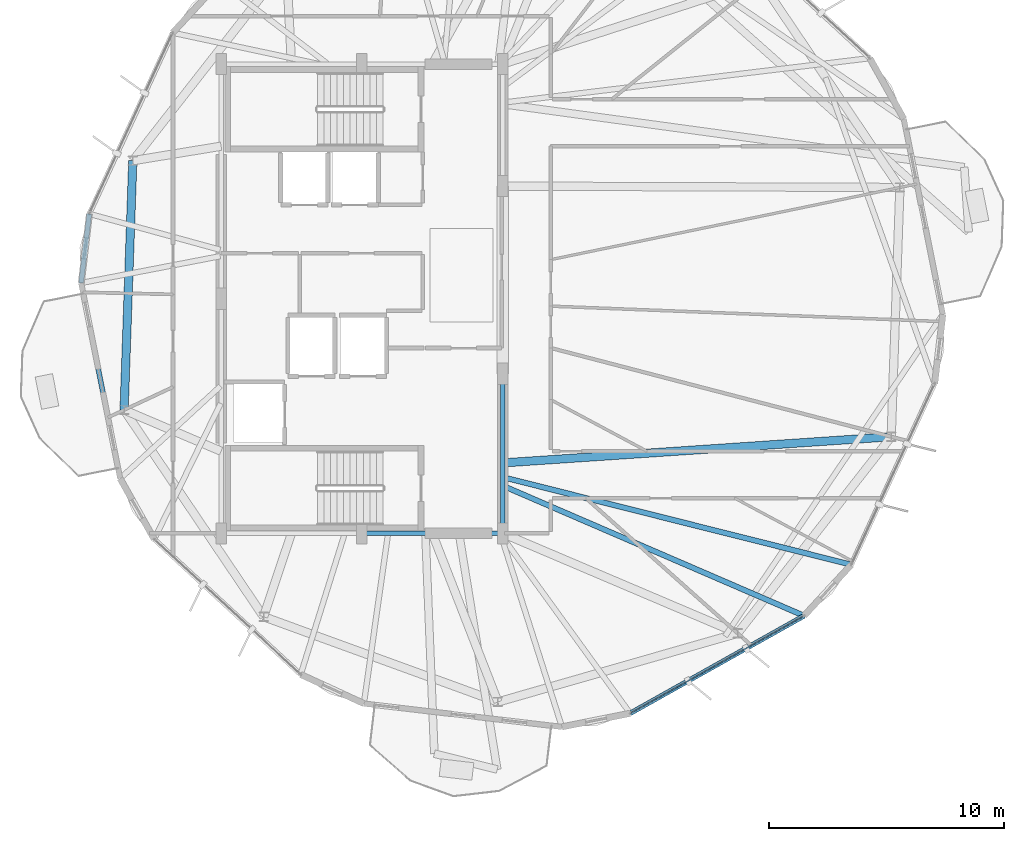
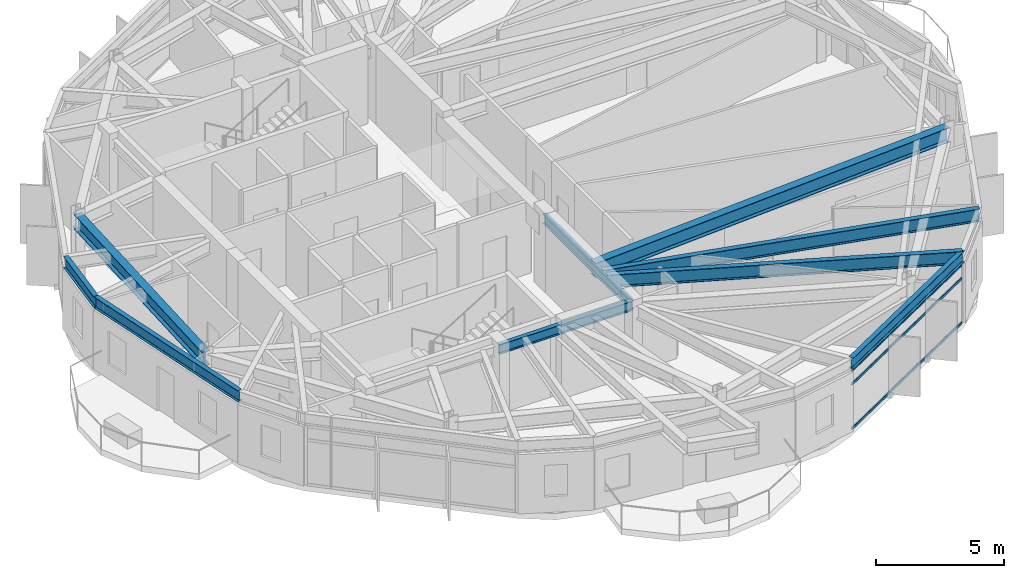
# One storey, part 6 of 25: 9 beams, 3 members, 1 element without a shape of its own.
"""IFC4 building model written with IfcOpenShell, lengths in metres."""

from ifc_helpers import new_model, si_unit, direction, frame, origin, origin_2d, place, context, subcontext, project, spatial, hollow_rectangle, i_section, extrude, material, layer, layer_set, material_profile, profile_set, type_object, element, aggregate, save


model = new_model("IFC4")

# Units and contexts
model_context = context("Model", 3, precision=1e-05, world=origin(), true_north=direction((0.0, 1.0)))
body_context = subcontext(model_context, "Body", "Model", "MODEL_VIEW")
ifc_project = project(units=[si_unit("LENGTHUNIT", "METRE"), si_unit("AREAUNIT", "SQUARE_METRE"), si_unit("VOLUMEUNIT", "CUBIC_METRE"), si_unit("PLANEANGLEUNIT", "RADIAN"), si_unit("MASSUNIT", "GRAM", prefix="KILO")], contexts=[model_context])

# Site, building, storey
site_placement = place(None, origin())
site = spatial("IfcSite", under=ifc_project, at=site_placement, CompositionType="ELEMENT")
building_placement = place(site_placement, origin())
building = spatial("IfcBuilding", under=site, at=building_placement, Name="Soratama Intermodal Tower", CompositionType="ELEMENT")
storey_placement = place(building_placement, frame((0.0, 0.0, 272.5)))
storey = spatial("IfcBuildingStorey", under=building, at=storey_placement, Name="L69", CompositionType="ELEMENT", Elevation=272.5)

# Beams
ifc_material_1 = material(Name="Structural steel ASTM A992 Grade 50", Category="steel")
ifc_material_profile_1 = material_profile(ifc_material_1, i_section(OverallWidth=0.19091796875, OverallDepth=0.4599609375, WebThickness=0.010009765625, FlangeThickness=0.01611328125, FilletRadius=0.010986328125, at=origin_2d()), Name="W18X55")
ifc_profile_set_1 = profile_set([ifc_material_profile_1], Name="Structural steel ASTM A992 Grade 50")
beam_type_1 = type_object("IfcBeamType", Name="BM-FLR-W18X55", PredefinedType="BEAM", material=ifc_profile_set_1)
beam_1_placement = place(storey_placement, frame((38.60009765625, 15.0, 3.219970703125), z_axis=(1.0, 0.0, 0.0), x_axis=(0.0, 1.0, 0.0)))
element("IfcBeam", 1, at=beam_1_placement, inside=storey, type_object=beam_type_1, Name="BM-L69-CRING-02", PredefinedType="BEAM", context=body_context, shape_type="SweptSolid", body=[
    extrude(i_section(OverallWidth=0.19091796875, OverallDepth=0.4599609375, WebThickness=0.010009765625, FlangeThickness=0.01611328125, FilletRadius=0.010986328125, at=origin_2d()), origin(), (0.0, 0.0, 1.0), 6.0),
])
beam_2_placement = place(storey_placement, frame((44.60009765625, 15.0, 3.219970703125), z_axis=(0.0, 1.0, 0.0), x_axis=(-1.0, 0.0, 0.0)))
element("IfcBeam", 2, at=beam_2_placement, inside=storey, type_object=beam_type_1, Name="BM-L69-CRING-03", PredefinedType="BEAM", context=body_context, shape_type="SweptSolid", body=[
    extrude(i_section(OverallWidth=0.19091796875, OverallDepth=0.4599609375, WebThickness=0.010009765625, FlangeThickness=0.01611328125, FilletRadius=0.010986328125, at=origin_2d()), origin(), (0.0, 0.0, 1.0), 6.800048828125),
])
ifc_material_2 = material(Name="Structural steel ASTM A992 Grade 50", Category="steel")
ifc_material_profile_2 = material_profile(ifc_material_2, i_section(OverallWidth=0.35498046875, OverallDepth=0.695068359375, WebThickness=0.015380859375, FlangeThickness=0.02490234375, FilletRadius=0.01611328125, at=origin_2d()), Name="W27X146")
ifc_profile_set_2 = profile_set([ifc_material_profile_2], Name="Structural steel ASTM A992 Grade 50")
beam_type_2 = type_object("IfcBeamType", Name="BM-RING-W27X146", PredefinedType="BEAM", material=ifc_profile_set_2)
beam_3_placement = place(storey_placement, frame((28.8369140625, 30.883056640625, 3.1025390625), z_axis=(-0.034885453879, -0.999391317307, 0.0), x_axis=(0.999391317307, -0.034885453879, 0.0)))
element("IfcBeam", 3, at=beam_3_placement, inside=storey, type_object=beam_type_2, Name="BM-L69-RING-05", PredefinedType="BEAM", context=body_context, shape_type="SweptSolid", body=[
    extrude(i_section(OverallWidth=0.35498046875, OverallDepth=0.695068359375, WebThickness=0.015380859375, FlangeThickness=0.02490234375, FilletRadius=0.01611328125, at=origin_2d()), origin(), (0.0, 0.0, 1.0), 10.630615234375),
])
beam_4_placement = place(storey_placement, frame((44.60009765625, 18.0, 3.1025390625), z_axis=(0.997733912176, 0.067283285401, 0.0), x_axis=(-0.067283285401, 0.997733912176, 0.0)))
element("IfcBeam", 4, at=beam_4_placement, inside=storey, type_object=beam_type_2, Name="BM-L69-RAD-10", PredefinedType="BEAM", context=body_context, shape_type="SweptSolid", body=[
    extrude(i_section(OverallWidth=0.35498046875, OverallDepth=0.695068359375, WebThickness=0.015380859375, FlangeThickness=0.02490234375, FilletRadius=0.01611328125, at=origin_2d()), origin(), (0.0, 0.0, 1.0), 16.6005859375),
])
ifc_material_3 = material(Name="Structural steel ASTM A992 Grade 50", Category="steel")
ifc_material_profile_3 = material_profile(ifc_material_3, i_section(OverallWidth=0.2099609375, OverallDepth=0.537109375, WebThickness=0.010986328125, FlangeThickness=0.017333984375, FilletRadius=0.012939453125, at=origin_2d()), Name="W21X68")
ifc_profile_set_3 = profile_set([ifc_material_profile_3], Name="Structural steel ASTM A992 Grade 50")
beam_type_3 = type_object("IfcBeamType", Name="BM-SPN-W21X68", PredefinedType="SPANDREL", material=ifc_profile_set_3)
beam_5_placement = place(storey_placement, frame((26.98095703125, 28.616943359375, 3.181396484375), z_axis=(-0.116912851833, -0.993142177675, 0.0), x_axis=(0.993142177675, -0.116912851833, 0.0)))
element("IfcBeam", 5, at=beam_5_placement, inside=storey, type_object=beam_type_3, Name="BS-L69-CRN03", PredefinedType="SPANDREL", context=body_context, shape_type="SweptSolid", body=[
    extrude(i_section(OverallWidth=0.2099609375, OverallDepth=0.537109375, WebThickness=0.010986328125, FlangeThickness=0.017333984375, FilletRadius=0.012939453125, at=origin_2d()), origin(), (0.0, 0.0, 1.0), 2.96728515625),
])
beam_6_placement = place(storey_placement, frame((26.634033203125, 25.669921875, 3.181396484375), z_axis=(0.195674193289, -0.980668960496, 0.0), x_axis=(0.980668960496, 0.195674193289, 0.0)))
element("IfcBeam", 6, at=beam_6_placement, inside=storey, type_object=beam_type_3, Name="BS-L69-F04", PredefinedType="SPANDREL", context=body_context, shape_type="SweptSolid", body=[
    extrude(i_section(OverallWidth=0.2099609375, OverallDepth=0.537109375, WebThickness=0.010986328125, FlangeThickness=0.017333984375, FilletRadius=0.012939453125, at=origin_2d()), origin(), (0.0, 0.0, 1.0), 8.499267578125),
])
beam_7_placement = place(storey_placement, frame((50.0380859375, 7.325927734375, 3.181396484375), z_axis=(0.87224286594, 0.489072983119, 0.0), x_axis=(-0.489072983119, 0.87224286594, 0.0)))
element("IfcBeam", 7, at=beam_7_placement, inside=storey, type_object=beam_type_3, Name="BS-L69-F07", PredefinedType="SPANDREL", context=body_context, shape_type="SweptSolid", body=[
    extrude(i_section(OverallWidth=0.2099609375, OverallDepth=0.537109375, WebThickness=0.010986328125, FlangeThickness=0.017333984375, FilletRadius=0.012939453125, at=origin_2d()), origin(), (0.0, 0.0, 1.0), 8.499755859375),
])
ifc_material_4 = material(Name="Structural steel ASTM A992 Grade 50", Category="steel")
ifc_material_profile_4 = material_profile(ifc_material_4, i_section(OverallWidth=0.22900390625, OverallDepth=0.612060546875, WebThickness=0.011962890625, FlangeThickness=0.01953125, FilletRadius=0.012939453125, at=origin_2d()), Name="W24X84")
ifc_profile_set_4 = profile_set([ifc_material_profile_4], Name="Structural steel ASTM A992 Grade 50")
beam_type_4 = type_object("IfcBeamType", Name="BM-TIE-W24X84", PredefinedType="BEAM", material=ifc_profile_set_4)
beam_8_placement = place(storey_placement, frame((44.636962890625, 17.014892578125, 3.14404296875), z_axis=(0.918107777154, -0.396330808202, 0.0), x_axis=(0.396330808202, 0.918107777154, 0.0)))
element("IfcBeam", 8, at=beam_8_placement, inside=storey, type_object=beam_type_4, Name="BM-L69-TIE1-07", PredefinedType="BEAM", context=body_context, shape_type="SweptSolid", body=[
    extrude(i_section(OverallWidth=0.22900390625, OverallDepth=0.612060546875, WebThickness=0.011962890625, FlangeThickness=0.01953125, FilletRadius=0.012939453125, at=origin_2d()), origin(), (0.0, 0.0, 1.0), 13.9580078125),
])
beam_9_placement = place(storey_placement, frame((44.638916015625, 17.384033203125, 3.14404296875), z_axis=(0.969901499151, -0.243497601518, 0.0), x_axis=(0.243497601518, 0.969901499151, 0.0)))
element("IfcBeam", 9, at=beam_9_placement, inside=storey, type_object=beam_type_4, Name="BM-L69-TIE0-08", PredefinedType="BEAM", context=body_context, shape_type="SweptSolid", body=[
    extrude(i_section(OverallWidth=0.22900390625, OverallDepth=0.612060546875, WebThickness=0.011962890625, FlangeThickness=0.01953125, FilletRadius=0.012939453125, at=origin_2d()), origin(), (0.0, 0.0, 1.0), 15.28515625),
])

# Curtain wall, members
ifc_material_5 = material(Name="Double-glazed aluminium curtain wall", Category="aluminium")
ifc_layer = layer(ifc_material_5, 0.159912109375)
ifc_layer_set = layer_set([ifc_layer], Name="Double-glazed aluminium curtain wall")
curtain_wall_type = type_object("IfcCurtainWallType", Name="CW-SYS-5", PredefinedType="NOTDEFINED", material=ifc_layer_set)
curtain_wall_placement = place(storey_placement, origin())
curtain_wall = element("IfcCurtainWall", 10, at=curtain_wall_placement, inside=storey, type_object=curtain_wall_type, Name="L69 Faceted Curtain Wall F07", PredefinedType="NOTDEFINED")
ifc_material_6 = material(Name="Anodised aluminium AA 6063-T6", Category="aluminium")
ifc_material_profile_5 = material_profile(ifc_material_6, hollow_rectangle(XDim=0.06005859375, YDim=0.1298828125, WallThickness=0.0048828125, InnerFilletRadius=0.0048828125, OuterFilletRadius=0.010009765625, at=origin_2d()), Name="CWT130X60X5")
ifc_profile_set_5 = profile_set([ifc_material_profile_5], Name="Anodised aluminium AA 6063-T6")
member_type = type_object("IfcMemberType", Name="TT-CWT-2", PredefinedType="USERDEFINED", material=ifc_profile_set_5)
member_1_placement = place(storey_placement, frame((50.090087890625, 7.355224609375, 0.030029296875), z_axis=(0.87223611151, 0.489085029191, 0.0), x_axis=(-0.489085029191, 0.87223611151, 0.0)))
member_1 = element("IfcMember", 11, at=member_1_placement, type_object=member_type, Name="CW-5 transom 1.1", ObjectType="TRANSOM", PredefinedType="USERDEFINED", context=body_context, shape_type="SweptSolid", body=[
    extrude(hollow_rectangle(XDim=0.06005859375, YDim=0.1298828125, WallThickness=0.0048828125, InnerFilletRadius=0.0048828125, OuterFilletRadius=0.010009765625, at=origin_2d()), origin(), (0.0, 0.0, 1.0), 8.379638671875),
])
member_2_placement = place(storey_placement, frame((50.090087890625, 7.355224609375, 2.14990234375), z_axis=(0.87223611151, 0.489085029191, 0.0), x_axis=(-0.489085029191, 0.87223611151, 0.0)))
member_2 = element("IfcMember", 12, at=member_2_placement, type_object=member_type, Name="CW-5 transom 1.2", ObjectType="TRANSOM", PredefinedType="USERDEFINED", context=body_context, shape_type="SweptSolid", body=[
    extrude(hollow_rectangle(XDim=0.06005859375, YDim=0.1298828125, WallThickness=0.0048828125, InnerFilletRadius=0.0048828125, OuterFilletRadius=0.010009765625, at=origin_2d()), origin(), (0.0, 0.0, 1.0), 8.379638671875),
])
member_3_placement = place(storey_placement, frame((50.090087890625, 7.355224609375, 2.799072265625), z_axis=(0.87223611151, 0.489085029191, 0.0), x_axis=(-0.489085029191, 0.87223611151, 0.0)))
member_3 = element("IfcMember", 13, at=member_3_placement, type_object=member_type, Name="CW-5 transom 1.3", ObjectType="TRANSOM", PredefinedType="USERDEFINED", context=body_context, shape_type="SweptSolid", body=[
    extrude(hollow_rectangle(XDim=0.06005859375, YDim=0.1298828125, WallThickness=0.0048828125, InnerFilletRadius=0.0048828125, OuterFilletRadius=0.010009765625, at=origin_2d()), origin(), (0.0, 0.0, 1.0), 8.379638671875),
])
aggregate(curtain_wall, [member_1, member_2, member_3])

save(model, "model.ifc")
